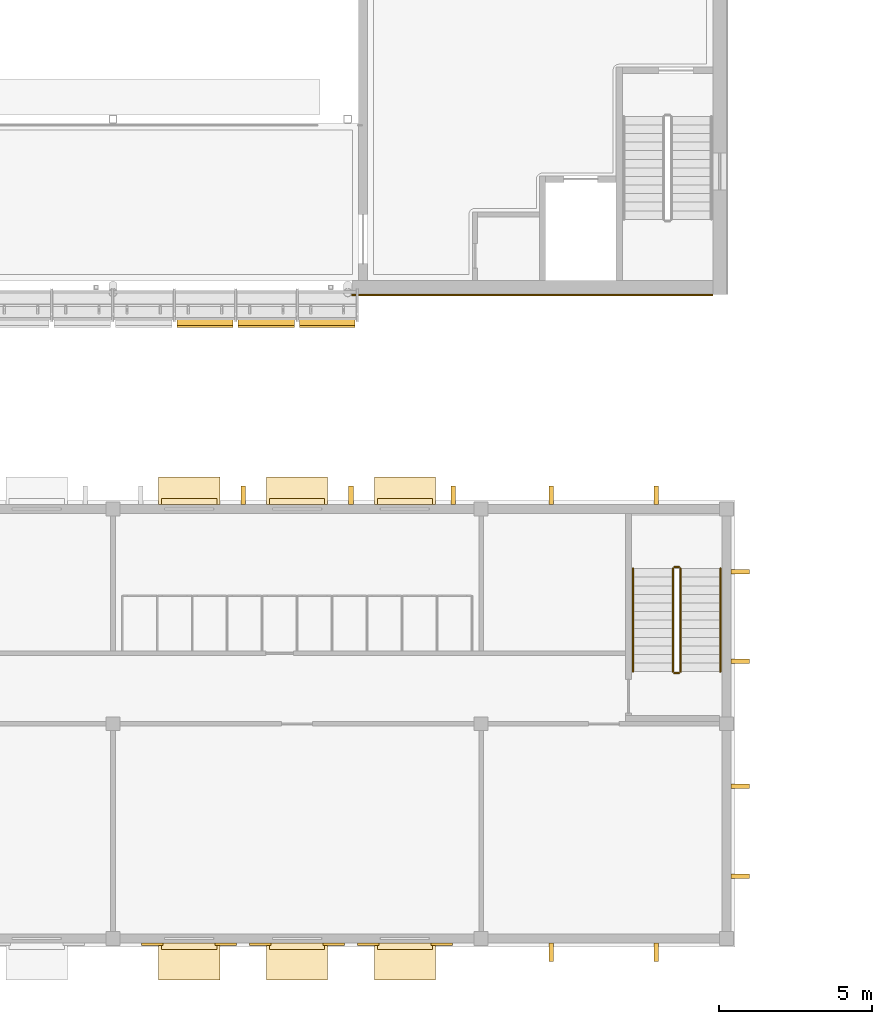
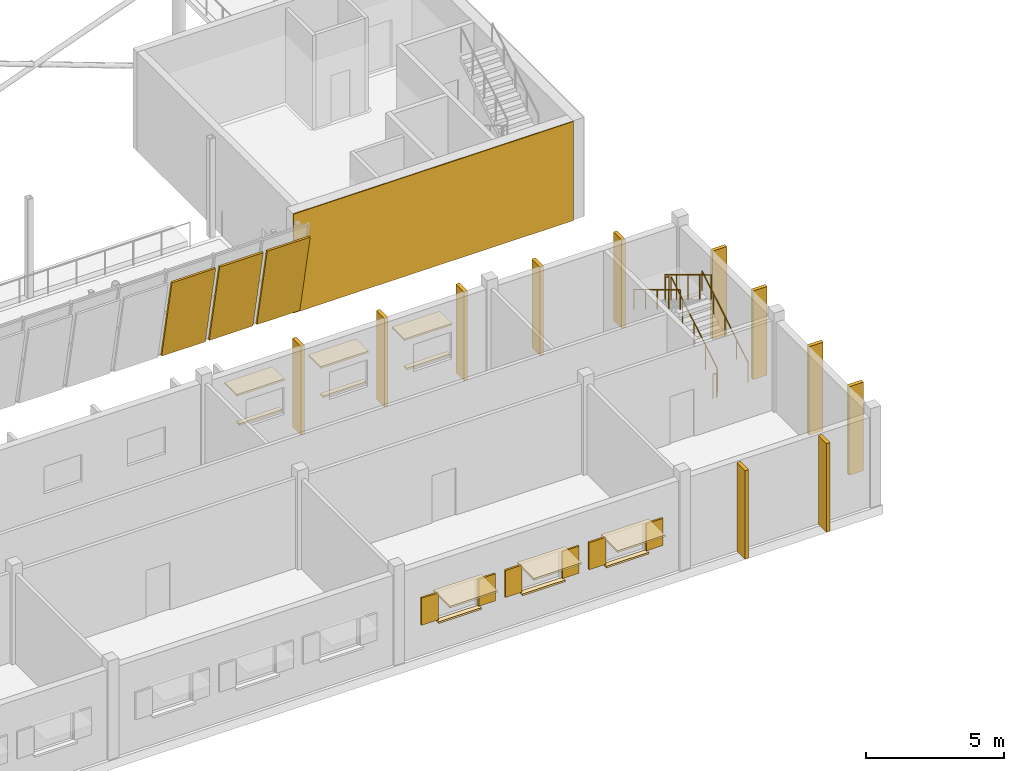
# One storey, part 107 of 115: 20 shading devices, 13 coverings, 6 railings.
"""IFC4 building model written with IfcOpenShell, lengths in metres."""

from ifc_helpers import new_model, si_unit, direction, frame, origin, origin_2d, place, context, subcontext, project, spatial, polyline, circle, outline, extrude, material, layer, layer_set, type_object, element, save


model = new_model("IFC4")

# Units and contexts
model_context = context("Model", 3, precision=1e-05, world=origin(), true_north=direction((0.0, 1.0)))
body_context = subcontext(model_context, "Body", "Model", "MODEL_VIEW")
ifc_project = project(units=[si_unit("LENGTHUNIT", "METRE"), si_unit("AREAUNIT", "SQUARE_METRE"), si_unit("VOLUMEUNIT", "CUBIC_METRE"), si_unit("PLANEANGLEUNIT", "RADIAN"), si_unit("MASSUNIT", "GRAM", prefix="KILO")], contexts=[model_context])

# Site, building, storey
site_placement = place(None, origin())
site = spatial("IfcSite", under=ifc_project, at=site_placement, CompositionType="ELEMENT")
building_placement = place(site_placement, origin())
building = spatial("IfcBuilding", under=site, at=building_placement, Name="Windward Yard Aquatics Centre", CompositionType="ELEMENT")
storey_placement = place(building_placement, frame((0.0, 0.0, 5.0)))
storey = spatial("IfcBuildingStorey", under=building, at=storey_placement, Name="L01", CompositionType="ELEMENT", Elevation=5.0)

# Railings
ifc_material_1 = material(Name="Stainless steel 1.4401", Category="steel")
railing_type_1 = type_object("IfcRailingType", Name="C Village stair 2 stair guard", PredefinedType="GUARDRAIL", material=ifc_material_1)
railing_1_placement = place(storey_placement, frame((150.5, 13.699951171875, 0.169189453125)))
element("IfcRailing", 1, at=railing_1_placement, inside=storey, type_object=railing_type_1, Name="L01 C-ST2 stair guard 1", PredefinedType="GUARDRAIL", context=body_context, shape_type="SweptSolid", body=[
    extrude(circle(Radius=0.02392578125, at=origin_2d()), frame((0.0, 0.0, 1.076171875), z_axis=(0.0, 0.855836976705, 0.517245656632), x_axis=(-1.0, 0.0, 0.0)), (0.0, 0.0, 1.0), 3.926025390625),
    extrude(circle(Radius=0.02099609375, at=origin_2d()), origin(), (0.0, 0.0, 1.0), 1.052001953125),
    extrude(circle(Radius=0.02099609375, at=origin_2d()), frame((0.0, 0.840087890625, 0.5078125)), (0.0, 0.0, 1.0), 1.052001953125),
    extrude(circle(Radius=0.02099609375, at=origin_2d()), frame((0.0, 1.68017578125, 1.015380859375)), (0.0, 0.0, 1.0), 1.052001953125),
    extrude(circle(Radius=0.02099609375, at=origin_2d()), frame((0.0, 2.52001953125, 1.52294921875)), (0.0, 0.0, 1.0), 1.052001953125),
    extrude(circle(Radius=0.02099609375, at=origin_2d()), frame((0.0, 3.360107421875, 2.03076171875)), (0.0, 0.0, 1.0), 1.052001953125),
])
railing_2_placement = place(storey_placement, frame((150.449951171875, 17.110107421875, 2.199951171875)))
element("IfcRailing", 2, at=railing_2_placement, inside=storey, type_object=railing_type_1, Name="L01 C-ST2 stair guard 2", PredefinedType="GUARDRAIL", context=body_context, shape_type="SweptSolid", body=[
    extrude(circle(Radius=0.02392578125, at=origin_2d()), frame((0.0, 0.0, 1.076171875), z_axis=(-1.0, 0.0, 0.0), x_axis=(0.0, -1.0, 0.0)), (0.0, 0.0, 1.0), 0.14990234375),
    extrude(circle(Radius=0.02099609375, at=origin_2d()), origin(), (0.0, 0.0, 1.0), 1.052001953125),
    extrude(circle(Radius=0.02099609375, at=origin_2d()), frame((-0.14990234375, 0.0, 0.0)), (0.0, 0.0, 1.0), 1.052001953125),
])
railing_3_placement = place(storey_placement, frame((150.25, 17.06005859375, 2.369140625)))
element("IfcRailing", 3, at=railing_3_placement, inside=storey, type_object=railing_type_1, Name="L01 C-ST2 stair guard 3", PredefinedType="GUARDRAIL", context=body_context, shape_type="SweptSolid", body=[
    extrude(circle(Radius=0.02392578125, at=origin_2d()), frame((0.0, 0.0, 1.076171875), z_axis=(0.0, -0.855836976705, 0.517245656632), x_axis=(1.0, 0.0, 0.0)), (0.0, 0.0, 1.0), 3.926025390625),
    extrude(circle(Radius=0.02099609375, at=origin_2d()), origin(), (0.0, 0.0, 1.0), 1.052001953125),
    extrude(circle(Radius=0.02099609375, at=origin_2d()), frame((0.0, -0.840087890625, 0.5078125)), (0.0, 0.0, 1.0), 1.052001953125),
    extrude(circle(Radius=0.02099609375, at=origin_2d()), frame((0.0, -1.68017578125, 1.015380859375)), (0.0, 0.0, 1.0), 1.052001953125),
    extrude(circle(Radius=0.02099609375, at=origin_2d()), frame((0.0, -2.52001953125, 1.52294921875)), (0.0, 0.0, 1.0), 1.052001953125),
    extrude(circle(Radius=0.02099609375, at=origin_2d()), frame((0.0, -3.360107421875, 2.03076171875)), (0.0, 0.0, 1.0), 1.052001953125),
])
railing_4_placement = place(storey_placement, frame((150.449951171875, 13.64990234375, 0.0)))
element("IfcRailing", 4, at=railing_4_placement, inside=storey, type_object=railing_type_1, Name="L01 C-ST2 stair guard 4", PredefinedType="GUARDRAIL", context=body_context, shape_type="SweptSolid", body=[
    extrude(circle(Radius=0.02392578125, at=origin_2d()), frame((0.0, 0.0, 1.076171875), z_axis=(-1.0, 0.0, 0.0), x_axis=(0.0, -1.0, 0.0)), (0.0, 0.0, 1.0), 0.14990234375),
    extrude(circle(Radius=0.02099609375, at=origin_2d()), origin(), (0.0, 0.0, 1.0), 1.052001953125),
    extrude(circle(Radius=0.02099609375, at=origin_2d()), frame((-0.14990234375, 0.0, 0.0)), (0.0, 0.0, 1.0), 1.052001953125),
])
railing_type_2 = type_object("IfcRailingType", Name="C Village stair 2 stair handrail", PredefinedType="HANDRAIL", material=ifc_material_1)
railing_5_placement = place(storey_placement, frame((151.800048828125, 13.699951171875, 0.169189453125)))
element("IfcRailing", 5, at=railing_5_placement, inside=storey, type_object=railing_type_2, Name="L01 C-ST2 stair handrail 1", PredefinedType="HANDRAIL", context=body_context, shape_type="SweptSolid", body=[
    extrude(circle(Radius=0.02392578125, at=origin_2d()), frame((0.0, 0.0, 0.8759765625), z_axis=(0.0, 0.855836976705, 0.517245656632), x_axis=(-1.0, 0.0, 0.0)), (0.0, 0.0, 1.0), 3.926025390625),
    extrude(circle(Radius=0.02099609375, at=origin_2d()), origin(), (0.0, 0.0, 1.0), 0.851806640625),
    extrude(circle(Radius=0.02099609375, at=origin_2d()), frame((0.0, 0.840087890625, 0.5078125)), (0.0, 0.0, 1.0), 0.851806640625),
    extrude(circle(Radius=0.02099609375, at=origin_2d()), frame((0.0, 1.68017578125, 1.015380859375)), (0.0, 0.0, 1.0), 0.851806640625),
    extrude(circle(Radius=0.02099609375, at=origin_2d()), frame((0.0, 2.52001953125, 1.52294921875)), (0.0, 0.0, 1.0), 0.851806640625),
    extrude(circle(Radius=0.02099609375, at=origin_2d()), frame((0.0, 3.360107421875, 2.03076171875)), (0.0, 0.0, 1.0), 0.851806640625),
])
railing_6_placement = place(storey_placement, frame((148.949951171875, 17.06005859375, 2.369140625)))
element("IfcRailing", 6, at=railing_6_placement, inside=storey, type_object=railing_type_2, Name="L01 C-ST2 stair handrail 2", PredefinedType="HANDRAIL", context=body_context, shape_type="SweptSolid", body=[
    extrude(circle(Radius=0.02392578125, at=origin_2d()), frame((0.0, 0.0, 0.8759765625), z_axis=(0.0, -0.855836976705, 0.517245656632), x_axis=(1.0, 0.0, 0.0)), (0.0, 0.0, 1.0), 3.926025390625),
    extrude(circle(Radius=0.02099609375, at=origin_2d()), origin(), (0.0, 0.0, 1.0), 0.851806640625),
    extrude(circle(Radius=0.02099609375, at=origin_2d()), frame((0.0, -0.840087890625, 0.5078125)), (0.0, 0.0, 1.0), 0.851806640625),
    extrude(circle(Radius=0.02099609375, at=origin_2d()), frame((0.0, -1.68017578125, 1.015380859375)), (0.0, 0.0, 1.0), 0.851806640625),
    extrude(circle(Radius=0.02099609375, at=origin_2d()), frame((0.0, -2.52001953125, 1.52294921875)), (0.0, 0.0, 1.0), 0.851806640625),
    extrude(circle(Radius=0.02099609375, at=origin_2d()), frame((0.0, -3.360107421875, 2.03076171875)), (0.0, 0.0, 1.0), 0.851806640625),
])

# Shading devices
ifc_material_2 = material(Name="Aluminium louvre blades, powder coated", Category="aluminium")
ifc_layer_1 = layer(ifc_material_2, 0.080078125)
ifc_layer_set_1 = layer_set([ifc_layer_1], Name="C storm shutter louvred 700x1200")
shading_device_type_1 = type_object("IfcShadingDeviceType", Name="C storm shutter louvred 700x1200", PredefinedType="SHUTTER", material=ifc_layer_set_1)
shading_device_1_placement = place(storey_placement, frame((0.0, 0.0, 1.39990234375)))
element("IfcShadingDevice", 7, at=shading_device_1_placement, inside=storey, type_object=shading_device_type_1, Name="Storm shutter CW1019L", PredefinedType="SHUTTER", context=body_context, shape_type="SweptSolid", body=[
    extrude(outline(polyline([(132.933349609375, 4.77001953125), (132.933349609375, 4.85009765625), (133.63330078125, 4.85009765625), (133.63330078125, 4.77001953125), (132.933349609375, 4.77001953125)])), origin(), (0.0, 0.0, 1.0), 1.2001953125),
])
shading_device_2_placement = place(storey_placement, frame((0.0, 0.0, 1.39990234375)))
element("IfcShadingDevice", 8, at=shading_device_2_placement, inside=storey, type_object=shading_device_type_1, Name="Storm shutter CW1019R", PredefinedType="SHUTTER", context=body_context, shape_type="SweptSolid", body=[
    extrude(outline(polyline([(135.333251953125, 4.77001953125), (135.333251953125, 4.85009765625), (136.033203125, 4.85009765625), (136.033203125, 4.77001953125), (135.333251953125, 4.77001953125)])), origin(), (0.0, 0.0, 1.0), 1.2001953125),
])
shading_device_3_placement = place(storey_placement, frame((0.0, 0.0, 1.39990234375)))
element("IfcShadingDevice", 9, at=shading_device_3_placement, inside=storey, type_object=shading_device_type_1, Name="Storm shutter CW1020L", PredefinedType="SHUTTER", context=body_context, shape_type="SweptSolid", body=[
    extrude(outline(polyline([(136.449951171875, 4.77001953125), (136.449951171875, 4.85009765625), (137.14990234375, 4.85009765625), (137.14990234375, 4.77001953125), (136.449951171875, 4.77001953125)])), origin(), (0.0, 0.0, 1.0), 1.2001953125),
])
shading_device_4_placement = place(storey_placement, frame((0.0, 0.0, 1.39990234375)))
element("IfcShadingDevice", 10, at=shading_device_4_placement, inside=storey, type_object=shading_device_type_1, Name="Storm shutter CW1020R", PredefinedType="SHUTTER", context=body_context, shape_type="SweptSolid", body=[
    extrude(outline(polyline([(138.85009765625, 4.77001953125), (138.85009765625, 4.85009765625), (139.550048828125, 4.85009765625), (139.550048828125, 4.77001953125), (138.85009765625, 4.77001953125)])), origin(), (0.0, 0.0, 1.0), 1.2001953125),
])
shading_device_5_placement = place(storey_placement, frame((0.0, 0.0, 1.39990234375)))
element("IfcShadingDevice", 11, at=shading_device_5_placement, inside=storey, type_object=shading_device_type_1, Name="Storm shutter CW1021L", PredefinedType="SHUTTER", context=body_context, shape_type="SweptSolid", body=[
    extrude(outline(polyline([(139.966796875, 4.77001953125), (139.966796875, 4.85009765625), (140.666748046875, 4.85009765625), (140.666748046875, 4.77001953125), (139.966796875, 4.77001953125)])), origin(), (0.0, 0.0, 1.0), 1.2001953125),
])
shading_device_6_placement = place(storey_placement, frame((0.0, 0.0, 1.39990234375)))
element("IfcShadingDevice", 12, at=shading_device_6_placement, inside=storey, type_object=shading_device_type_1, Name="Storm shutter CW1021R", PredefinedType="SHUTTER", context=body_context, shape_type="SweptSolid", body=[
    extrude(outline(polyline([(142.36669921875, 4.77001953125), (142.36669921875, 4.85009765625), (143.066650390625, 4.85009765625), (143.066650390625, 4.77001953125), (142.36669921875, 4.77001953125)])), origin(), (0.0, 0.0, 1.0), 1.2001953125),
])
ifc_material_3 = material(Name="Aluminium fin, powder coated", Category="aluminium")
shading_device_type_2 = type_object("IfcShadingDeviceType", Name="C vertical fin 150x600", PredefinedType="USERDEFINED", material=ifc_material_3)
shading_device_7_placement = place(storey_placement, origin())
element("IfcShadingDevice", 13, at=shading_device_7_placement, inside=storey, type_object=shading_device_type_2, Name="Vertical fin C.W.L01.E1.1.1", ObjectType="FIN", PredefinedType="USERDEFINED", context=body_context, shape_type="SweptSolid", body=[
    extrude(outline(polyline([(152.14990234375, 6.96240234375), (152.14990234375, 7.112548828125), (152.75, 7.112548828125), (152.75, 6.96240234375), (152.14990234375, 6.96240234375)])), origin(), (0.0, 0.0, 1.0), 3.929931640625),
])
shading_device_8_placement = place(storey_placement, origin())
element("IfcShadingDevice", 14, at=shading_device_8_placement, inside=storey, type_object=shading_device_type_2, Name="Vertical fin C.W.L01.E1.1.2", ObjectType="FIN", PredefinedType="USERDEFINED", context=body_context, shape_type="SweptSolid", body=[
    extrude(outline(polyline([(152.14990234375, 9.887451171875), (152.14990234375, 10.03759765625), (152.75, 10.03759765625), (152.75, 9.887451171875), (152.14990234375, 9.887451171875)])), origin(), (0.0, 0.0, 1.0), 3.929931640625),
])
shading_device_9_placement = place(storey_placement, origin())
element("IfcShadingDevice", 15, at=shading_device_9_placement, inside=storey, type_object=shading_device_type_2, Name="Vertical fin C.W.L01.E2.1.1", ObjectType="FIN", PredefinedType="USERDEFINED", context=body_context, shape_type="SweptSolid", body=[
    extrude(outline(polyline([(152.14990234375, 13.96240234375), (152.14990234375, 14.112548828125), (152.75, 14.112548828125), (152.75, 13.96240234375), (152.14990234375, 13.96240234375)])), origin(), (0.0, 0.0, 1.0), 3.929931640625),
])
shading_device_10_placement = place(storey_placement, origin())
element("IfcShadingDevice", 16, at=shading_device_10_placement, inside=storey, type_object=shading_device_type_2, Name="Vertical fin C.W.L01.E2.1.2", ObjectType="FIN", PredefinedType="USERDEFINED", context=body_context, shape_type="SweptSolid", body=[
    extrude(outline(polyline([(152.14990234375, 16.887451171875), (152.14990234375, 17.03759765625), (152.75, 17.03759765625), (152.75, 16.887451171875), (152.14990234375, 16.887451171875)])), origin(), (0.0, 0.0, 1.0), 3.929931640625),
])
shading_device_11_placement = place(storey_placement, origin())
element("IfcShadingDevice", 17, at=shading_device_11_placement, inside=storey, type_object=shading_device_type_2, Name="Vertical fin C.W.L01.N8.2.1", ObjectType="FIN", PredefinedType="USERDEFINED", context=body_context, shape_type="SweptSolid", body=[
    extrude(outline(polyline([(136.166748046875, 19.14990234375), (136.316650390625, 19.14990234375), (136.316650390625, 19.75), (136.166748046875, 19.75), (136.166748046875, 19.14990234375)])), origin(), (0.0, 0.0, 1.0), 3.929931640625),
])
shading_device_12_placement = place(storey_placement, origin())
element("IfcShadingDevice", 18, at=shading_device_12_placement, inside=storey, type_object=shading_device_type_2, Name="Vertical fin C.W.L01.N8.3.1", ObjectType="FIN", PredefinedType="USERDEFINED", context=body_context, shape_type="SweptSolid", body=[
    extrude(outline(polyline([(139.683349609375, 19.14990234375), (139.833251953125, 19.14990234375), (139.833251953125, 19.75), (139.683349609375, 19.75), (139.683349609375, 19.14990234375)])), origin(), (0.0, 0.0, 1.0), 3.929931640625),
])
shading_device_13_placement = place(storey_placement, origin())
element("IfcShadingDevice", 19, at=shading_device_13_placement, inside=storey, type_object=shading_device_type_2, Name="Vertical fin C.W.L01.N8.4.1", ObjectType="FIN", PredefinedType="USERDEFINED", context=body_context, shape_type="SweptSolid", body=[
    extrude(outline(polyline([(143.020751953125, 19.14990234375), (143.1708984375, 19.14990234375), (143.1708984375, 19.75), (143.020751953125, 19.75), (143.020751953125, 19.14990234375)])), origin(), (0.0, 0.0, 1.0), 3.929931640625),
])
shading_device_14_placement = place(storey_placement, origin())
element("IfcShadingDevice", 20, at=shading_device_14_placement, inside=storey, type_object=shading_device_type_2, Name="Vertical fin C.W.L01.N9.1.1", ObjectType="FIN", PredefinedType="USERDEFINED", context=body_context, shape_type="SweptSolid", body=[
    extrude(outline(polyline([(146.21240234375, 19.14990234375), (146.362548828125, 19.14990234375), (146.362548828125, 19.75), (146.21240234375, 19.75), (146.21240234375, 19.14990234375)])), origin(), (0.0, 0.0, 1.0), 3.929931640625),
])
shading_device_15_placement = place(storey_placement, origin())
element("IfcShadingDevice", 21, at=shading_device_15_placement, inside=storey, type_object=shading_device_type_2, Name="Vertical fin C.W.L01.N9.1.2", ObjectType="FIN", PredefinedType="USERDEFINED", context=body_context, shape_type="SweptSolid", body=[
    extrude(outline(polyline([(149.637451171875, 19.14990234375), (149.78759765625, 19.14990234375), (149.78759765625, 19.75), (149.637451171875, 19.75), (149.637451171875, 19.14990234375)])), origin(), (0.0, 0.0, 1.0), 3.929931640625),
])
shading_device_16_placement = place(storey_placement, origin())
element("IfcShadingDevice", 22, at=shading_device_16_placement, inside=storey, type_object=shading_device_type_2, Name="Vertical fin C.W.L01.S9.1.1", ObjectType="FIN", PredefinedType="USERDEFINED", context=body_context, shape_type="SweptSolid", body=[
    extrude(outline(polyline([(146.21240234375, 4.25), (146.21240234375, 4.85009765625), (146.362548828125, 4.85009765625), (146.362548828125, 4.25), (146.21240234375, 4.25)])), origin(), (0.0, 0.0, 1.0), 3.929931640625),
])
shading_device_17_placement = place(storey_placement, origin())
element("IfcShadingDevice", 23, at=shading_device_17_placement, inside=storey, type_object=shading_device_type_2, Name="Vertical fin C.W.L01.S9.1.2", ObjectType="FIN", PredefinedType="USERDEFINED", context=body_context, shape_type="SweptSolid", body=[
    extrude(outline(polyline([(149.637451171875, 4.25), (149.637451171875, 4.85009765625), (149.78759765625, 4.85009765625), (149.78759765625, 4.25), (149.637451171875, 4.25)])), origin(), (0.0, 0.0, 1.0), 3.929931640625),
])

# Coverings
ifc_material_4 = material(Name="Aluminium composite hood, powder coated", Category="aluminium")
ifc_layer_2 = layer(ifc_material_4, 0.080078125)
ifc_layer_set_2 = layer_set([ifc_layer_2], Name="C window hood aluminium 2000x1200")
covering_type_1 = type_object("IfcCoveringType", Name="C window hood aluminium 2000x1200", PredefinedType="CLADDING", material=ifc_layer_set_2)
covering_1_placement = place(storey_placement, frame((0.0, 0.0, 2.64990234375)))
element("IfcCovering", 24, at=covering_1_placement, inside=storey, type_object=covering_type_1, Name="Window hood CW1019", PredefinedType="CLADDING", context=body_context, shape_type="SweptSolid", body=[
    extrude(outline(polyline([(133.4833984375, 3.64990234375), (133.4833984375, 4.85009765625), (135.4833984375, 4.85009765625), (135.4833984375, 3.64990234375), (133.4833984375, 3.64990234375)])), origin(), (0.0, 0.0, 1.0), 0.080078125),
])
covering_2_placement = place(storey_placement, frame((0.0, 0.0, 2.64990234375)))
element("IfcCovering", 25, at=covering_2_placement, inside=storey, type_object=covering_type_1, Name="Window hood CW1020", PredefinedType="CLADDING", context=body_context, shape_type="SweptSolid", body=[
    extrude(outline(polyline([(137.0, 3.64990234375), (137.0, 4.85009765625), (139.0, 4.85009765625), (139.0, 3.64990234375), (137.0, 3.64990234375)])), origin(), (0.0, 0.0, 1.0), 0.080078125),
])
covering_3_placement = place(storey_placement, frame((0.0, 0.0, 2.64990234375)))
element("IfcCovering", 26, at=covering_3_placement, inside=storey, type_object=covering_type_1, Name="Window hood CW1021", PredefinedType="CLADDING", context=body_context, shape_type="SweptSolid", body=[
    extrude(outline(polyline([(140.5166015625, 3.64990234375), (140.5166015625, 4.85009765625), (142.5166015625, 4.85009765625), (142.5166015625, 3.64990234375), (140.5166015625, 3.64990234375)])), origin(), (0.0, 0.0, 1.0), 0.080078125),
])
ifc_layer_3 = layer(ifc_material_4, 0.080078125)
ifc_layer_set_3 = layer_set([ifc_layer_3], Name="C window hood aluminium 2000x900")
covering_type_2 = type_object("IfcCoveringType", Name="C window hood aluminium 2000x900", PredefinedType="CLADDING", material=ifc_layer_set_3)
covering_4_placement = place(storey_placement, frame((0.0, 0.0, 2.64990234375)))
element("IfcCovering", 27, at=covering_4_placement, inside=storey, type_object=covering_type_2, Name="Window hood CW1040", PredefinedType="CLADDING", context=body_context, shape_type="SweptSolid", body=[
    extrude(outline(polyline([(133.4833984375, 19.14990234375), (135.4833984375, 19.14990234375), (135.4833984375, 20.050048828125), (133.4833984375, 20.050048828125), (133.4833984375, 19.14990234375)])), origin(), (0.0, 0.0, 1.0), 0.080078125),
])
covering_5_placement = place(storey_placement, frame((0.0, 0.0, 2.64990234375)))
element("IfcCovering", 28, at=covering_5_placement, inside=storey, type_object=covering_type_2, Name="Window hood CW1041", PredefinedType="CLADDING", context=body_context, shape_type="SweptSolid", body=[
    extrude(outline(polyline([(137.0, 19.14990234375), (139.0, 19.14990234375), (139.0, 20.050048828125), (137.0, 20.050048828125), (137.0, 19.14990234375)])), origin(), (0.0, 0.0, 1.0), 0.080078125),
])
covering_6_placement = place(storey_placement, frame((0.0, 0.0, 2.64990234375)))
element("IfcCovering", 29, at=covering_6_placement, inside=storey, type_object=covering_type_2, Name="Window hood CW1042", PredefinedType="CLADDING", context=body_context, shape_type="SweptSolid", body=[
    extrude(outline(polyline([(140.5166015625, 19.14990234375), (142.5166015625, 19.14990234375), (142.5166015625, 20.050048828125), (140.5166015625, 20.050048828125), (140.5166015625, 19.14990234375)])), origin(), (0.0, 0.0, 1.0), 0.080078125),
])
ifc_material_5 = material(Name="Limestone sill", Category="masonry")
ifc_layer_4 = layer(ifc_material_5, 0.080078125)
ifc_layer_set_4 = layer_set([ifc_layer_4], Name="C window sill stone 1800x200")
covering_type_3 = type_object("IfcCoveringType", Name="C window sill stone 1800x200", PredefinedType="CLADDING", material=ifc_layer_set_4)
covering_7_placement = place(storey_placement, frame((0.0, 0.0, 1.320068359375)))
element("IfcCovering", 30, at=covering_7_placement, inside=storey, type_object=covering_type_3, Name="Window sill CW1040", PredefinedType="CLADDING", context=body_context, shape_type="SweptSolid", body=[
    extrude(outline(polyline([(133.583251953125, 19.14990234375), (135.38330078125, 19.14990234375), (135.38330078125, 19.35009765625), (133.583251953125, 19.35009765625), (133.583251953125, 19.14990234375)])), origin(), (0.0, 0.0, 1.0), 0.079833984375),
])
covering_8_placement = place(storey_placement, frame((0.0, 0.0, 1.320068359375)))
element("IfcCovering", 31, at=covering_8_placement, inside=storey, type_object=covering_type_3, Name="Window sill CW1041", PredefinedType="CLADDING", context=body_context, shape_type="SweptSolid", body=[
    extrude(outline(polyline([(137.10009765625, 19.14990234375), (138.89990234375, 19.14990234375), (138.89990234375, 19.35009765625), (137.10009765625, 19.35009765625), (137.10009765625, 19.14990234375)])), origin(), (0.0, 0.0, 1.0), 0.079833984375),
])
covering_9_placement = place(storey_placement, frame((0.0, 0.0, 1.320068359375)))
element("IfcCovering", 32, at=covering_9_placement, inside=storey, type_object=covering_type_3, Name="Window sill CW1042", PredefinedType="CLADDING", context=body_context, shape_type="SweptSolid", body=[
    extrude(outline(polyline([(140.61669921875, 19.14990234375), (142.416748046875, 19.14990234375), (142.416748046875, 19.35009765625), (140.61669921875, 19.35009765625), (140.61669921875, 19.14990234375)])), origin(), (0.0, 0.0, 1.0), 0.079833984375),
])
covering_10_placement = place(storey_placement, frame((0.0, 0.0, 1.320068359375)))
element("IfcCovering", 33, at=covering_10_placement, inside=storey, type_object=covering_type_3, Name="Window sill CW1019", PredefinedType="CLADDING", context=body_context, shape_type="SweptSolid", body=[
    extrude(outline(polyline([(133.583251953125, 4.64990234375), (133.583251953125, 4.85009765625), (135.38330078125, 4.85009765625), (135.38330078125, 4.64990234375), (133.583251953125, 4.64990234375)])), origin(), (0.0, 0.0, 1.0), 0.079833984375),
])
covering_11_placement = place(storey_placement, frame((0.0, 0.0, 1.320068359375)))
element("IfcCovering", 34, at=covering_11_placement, inside=storey, type_object=covering_type_3, Name="Window sill CW1020", PredefinedType="CLADDING", context=body_context, shape_type="SweptSolid", body=[
    extrude(outline(polyline([(137.10009765625, 4.64990234375), (137.10009765625, 4.85009765625), (138.89990234375, 4.85009765625), (138.89990234375, 4.64990234375), (137.10009765625, 4.64990234375)])), origin(), (0.0, 0.0, 1.0), 0.079833984375),
])
covering_12_placement = place(storey_placement, frame((0.0, 0.0, 1.320068359375)))
element("IfcCovering", 35, at=covering_12_placement, inside=storey, type_object=covering_type_3, Name="Window sill CW1021", PredefinedType="CLADDING", context=body_context, shape_type="SweptSolid", body=[
    extrude(outline(polyline([(140.61669921875, 4.64990234375), (140.61669921875, 4.85009765625), (142.416748046875, 4.85009765625), (142.416748046875, 4.64990234375), (140.61669921875, 4.64990234375)])), origin(), (0.0, 0.0, 1.0), 0.079833984375),
])
ifc_material_6 = material(Name="Natural limestone cladding", Category="masonry")
ifc_layer_5 = layer(ifc_material_6, 0.0400390625)
ifc_layer_set_5 = layer_set([ifc_layer_5], Name="H natural stone cladding 40")
covering_type_4 = type_object("IfcCoveringType", Name="H natural stone cladding 40", PredefinedType="CLADDING", material=ifc_layer_set_5)
covering_13_placement = place(storey_placement, origin())
element("IfcCovering", 36, at=covering_13_placement, inside=storey, type_object=covering_type_4, Name="Stone cladding panel 107", PredefinedType="CLADDING", context=body_context, shape_type="SweptSolid", body=[
    extrude(outline(polyline([(139.785888671875, 25.9599609375), (151.550048828125, 25.9599609375), (151.550048828125, 26.0), (139.785888671875, 26.0), (139.785888671875, 25.9599609375)])), origin(), (0.0, 0.0, 1.0), 4.39990234375),
])

# Shading devices
ifc_material_7 = material(Name="Aluminium extruded louvre blades, powder coated", Category="aluminium")
ifc_layer_6 = layer(ifc_material_7, 0.080078125)
ifc_layer_set_6 = layer_set([ifc_layer_6], Name="H storm louvre shutter 1802x3790")
shading_device_type_3 = type_object("IfcShadingDeviceType", Name="H storm louvre shutter 1802x3790", PredefinedType="SHUTTER", material=ifc_layer_set_6)
for number, where, z_axis, x_axis, name in (
    (37, (134.083251953125, 24.989501953125, 4.000732421875), (0.0, 0.979926212575, 0.199360522443), (0.0, 0.199360522443, -0.979926212575), "Storm louvre S L01 B17"),
    (38, (136.0830078125, 24.989501953125, 4.000732421875), (0.0, 0.979926212575, 0.199360522443), (0.0, 0.199360522443, -0.979926212575), "Storm louvre S L01 B18"),
):
    element("IfcShadingDevice", number, at=place(storey_placement, frame(where, z_axis=z_axis, x_axis=x_axis)), inside=storey, type_object=shading_device_type_3, Name=name, PredefinedType="SHUTTER", context=body_context, shape_type="SweptSolid", body=[
        extrude(outline(polyline([(0.0, 0.0), (3.790195, 0.0), (3.790195, -1.834717), (0.0, -1.834717), (0.0, 0.0)])), origin(), (0.0, 0.0, -1.0), 0.080078125),
    ])
shading_device_18_placement = place(storey_placement, frame((138.082763671875, 24.989501953125, 4.000732421875), z_axis=(0.0, 0.979926212575, 0.199360522443), x_axis=(0.0, 0.199360522443, -0.979926212575)))
element("IfcShadingDevice", 39, at=shading_device_18_placement, inside=storey, type_object=shading_device_type_3, Name="Storm louvre S L01 B19", PredefinedType="SHUTTER", context=body_context, shape_type="SweptSolid", body=[
    extrude(outline(polyline([(0.0, 0.0), (3.790195, 0.0), (3.790195, -1.802246), (0.0, -1.802246), (0.0, 0.0)])), origin(), (0.0, 0.0, -1.0), 0.080078125),
])

save(model, "model.ifc")
